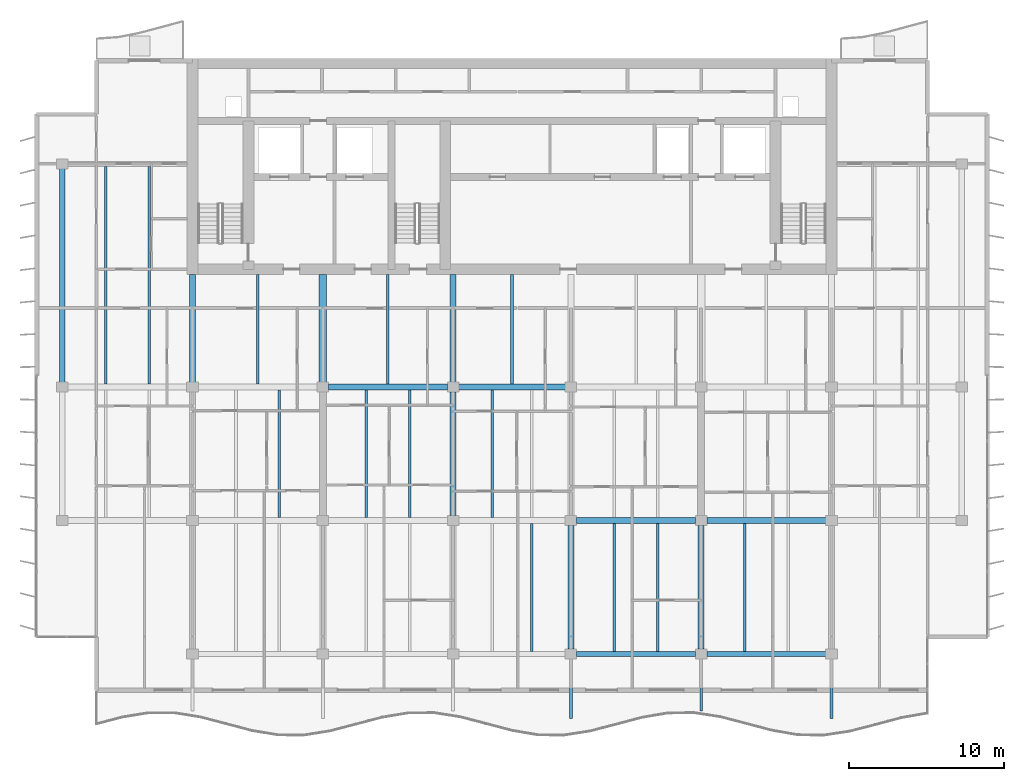
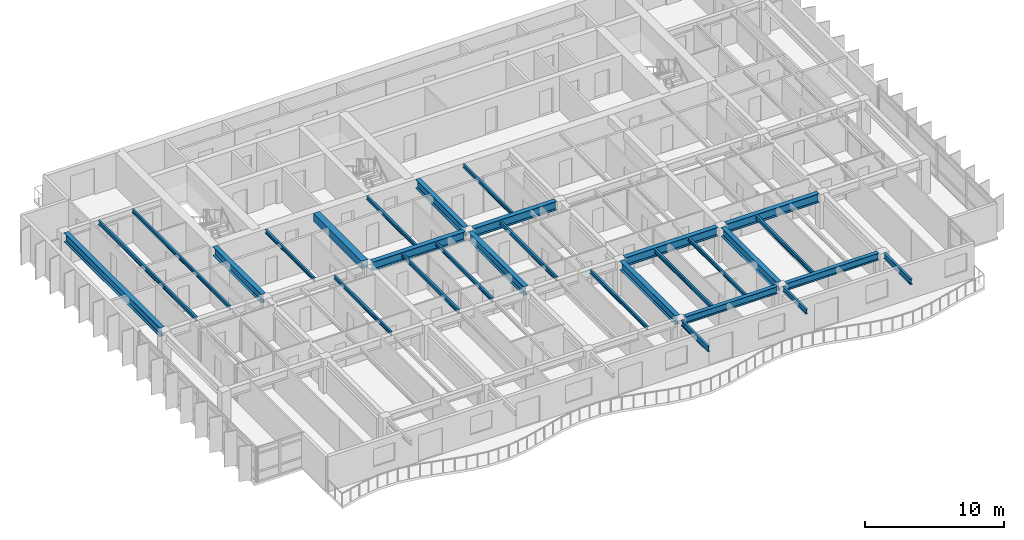
# One storey, part 3 of 17: 29 beams.
"""IFC4 building model written with IfcOpenShell, lengths in metres."""

import ifcopenshell
import ifcopenshell.guid

model = None  # the IFC model being written
_history = None  # IfcOwnerHistory: only IFC2X3 demands one
_inside = {}  # id of a spatial element -> (the spatial element, [elements in it])
_under = {}  # id of a project, library or spatial element -> (it, [spatial elements below it])
_declared = {}  # id of a project -> (the project, [libraries it declares])
_typed = {}  # id of a type object -> (the type object, [elements of that type])
_made_of = {}  # id of a material, layer set ... -> (it, [elements and type objects made of it])


def new_model(schema):
    """Start an empty IFC model of exactly this schema.

    Asked for "IFC4X3", IfcOpenShell would pick the latest addendum, in which some entities
    have other attributes; the version numbers below select the first issue.
    IFC2X3 requires an IfcOwnerHistory on every rooted entity: one is made here for all.
    """
    global model, _history
    if schema == "IFC4X3":
        model = ifcopenshell.file(schema_version=(4, 3, 0, 0))
    else:
        model = ifcopenshell.file(schema=schema)
    _inside.clear()
    _under.clear()
    _declared.clear()
    _typed.clear()
    _made_of.clear()
    _history = None
    if model.schema == "IFC2X3":
        org = make("IfcOrganization", Name="unknown")
        user = make(
            "IfcPersonAndOrganization",
            ThePerson=make("IfcPerson", FamilyName="unknown"),
            TheOrganization=org,
        )
        app = make(
            "IfcApplication",
            ApplicationDeveloper=org,
            Version="unknown",
            ApplicationFullName="unknown",
            ApplicationIdentifier="unknown",
        )
        _history = make(
            "IfcOwnerHistory",
            OwningUser=user,
            OwningApplication=app,
            ChangeAction="ADDED",
            CreationDate=0,
        )
    return model


def make(cls, **values):
    """One entity of the class cls with the attributes given. An attribute that is None is left unset."""
    return model.create_entity(
        cls, **{name: value for name, value in values.items() if value is not None}
    )


def rooted(cls, **values):
    """An entity with a GlobalId (a new one), such as an element, a storey or a relation."""
    return make(cls, GlobalId=ifcopenshell.guid.new(), OwnerHistory=_history, **values)


def si_unit(unit_type, name, prefix=None):
    """IfcSIUnit, for example si_unit("LENGTHUNIT", "METRE", prefix="MILLI")."""
    return make("IfcSIUnit", UnitType=unit_type, Prefix=prefix, Name=name)


def assignment(units):
    """IfcUnitAssignment: the units of a project."""
    return None if units is None else make("IfcUnitAssignment", Units=units)


def point(xyz):
    """IfcCartesianPoint."""
    return None if xyz is None else make("IfcCartesianPoint", Coordinates=xyz)


def direction(xyz):
    """IfcDirection."""
    return None if xyz is None else make("IfcDirection", DirectionRatios=xyz)


def frame(location, z_axis=None, x_axis=None):
    """IfcAxis2Placement3D, a coordinate frame: its origin and axes. An axis left out is left unset."""
    return make(
        "IfcAxis2Placement3D",
        Location=point(location),
        Axis=direction(z_axis),
        RefDirection=direction(x_axis),
    )


def frame_2d(location, x_axis=None):
    """IfcAxis2Placement2D, a coordinate frame in the plane: its origin and x axis."""
    return make(
        "IfcAxis2Placement2D", Location=point(location), RefDirection=direction(x_axis)
    )


def origin():
    """The frame at (0, 0, 0) with its axes left unset."""
    return frame((0.0, 0.0, 0.0))


def origin_2d():
    """The frame at (0, 0) in the plane with its x axis left unset."""
    return frame_2d((0.0, 0.0))


def place(relative_to, where):
    """IfcLocalPlacement: puts the frame where relative to a parent placement (None: the world)."""
    return make(
        "IfcLocalPlacement", PlacementRelTo=relative_to, RelativePlacement=where
    )


def context(
    kind, dimensions, precision=None, world=None, true_north=None, identifier=None
):
    """IfcGeometricRepresentationContext, for example the 3D "Model" context."""
    return make(
        "IfcGeometricRepresentationContext",
        ContextIdentifier=identifier,
        ContextType=kind,
        CoordinateSpaceDimension=dimensions,
        Precision=precision,
        WorldCoordinateSystem=world,
        TrueNorth=true_north,
    )


def subcontext(parent, identifier, kind, view, scale=None):
    """IfcGeometricRepresentationSubContext, for example "Body" below "Model"."""
    return make(
        "IfcGeometricRepresentationSubContext",
        ContextIdentifier=identifier,
        ContextType=kind,
        ParentContext=parent,
        TargetScale=scale,
        TargetView=view,
    )


def project(units=None, contexts=None):
    """IfcProject with its units and contexts."""
    return rooted(
        "IfcProject",
        Name="project",
        RepresentationContexts=contexts,
        UnitsInContext=assignment(units),
    )


def spatial(cls, under=None, at=None, **own):
    """A site, building, storey or space (cls), placed at a placement, below another one or the project."""
    s = rooted(cls, ObjectPlacement=at, **own)
    if under is not None:
        _under.setdefault(under.id(), (under, []))[1].append(s)
    return s


def profile(cls, at=None, kind="AREA", **sizes):
    """A parametric profile (cls). Its sizes go by their IFC names, for example OverallWidth=200.0."""
    return make(cls, ProfileType=kind, Position=at, **sizes)


def rectangle(**sizes):
    """IfcRectangleProfileDef."""
    return profile("IfcRectangleProfileDef", **sizes)


def i_section(**sizes):
    """IfcIShapeProfileDef."""
    return profile("IfcIShapeProfileDef", **sizes)


def extrude(swept, where, along, depth):
    """IfcExtrudedAreaSolid: the profile swept, set in the frame where, extruded along a direction by depth."""
    return make(
        "IfcExtrudedAreaSolid",
        SweptArea=swept,
        Position=where,
        ExtrudedDirection=direction(along),
        Depth=depth,
    )


def shape(context_of_items, identifier, shape_type, items):
    """IfcShapeRepresentation: the items that make up one representation, for example the "Body"."""
    return make(
        "IfcShapeRepresentation",
        ContextOfItems=context_of_items,
        RepresentationIdentifier=identifier,
        RepresentationType=shape_type,
        Items=items,
    )


def material(Name=None, Category=None):
    """IfcMaterial."""
    return make("IfcMaterial", Name=Name, Category=Category)


def material_profile(
    of_material, cross_section, Name=None, Category=None, Priority=None
):
    """IfcMaterialProfile: a cross section and its material."""
    return make(
        "IfcMaterialProfile",
        Name=Name,
        Material=of_material,
        Profile=cross_section,
        Priority=Priority,
        Category=Category,
    )


def profile_set(profiles, Name=None, composite=None):
    """IfcMaterialProfileSet."""
    return make(
        "IfcMaterialProfileSet",
        Name=Name,
        MaterialProfiles=profiles,
        CompositeProfile=composite,
    )


def made_of(thing, what):
    """Note that an element or type object is made of a material, layer set ...; save() writes the relation."""
    if what is not None:
        _made_of.setdefault(what.id(), (what, []))[1].append(thing)
    return thing


def type_object(cls, material=None, **own):
    """A type object (cls), such as IfcWallType, which elements share."""
    return made_of(rooted(cls, **own), material)


def element(
    cls,
    number,
    at=None,
    inside=None,
    cuts=None,
    type_object=None,
    material=None,
    context=None,
    identifier="Body",
    shape_type=None,
    held_by="IfcProductDefinitionShape",
    body=None,
    shapes=None,
    **own,
):
    """One element of the class cls, such as IfcWall. Its Tag is "e" and its number.

    at: its placement. inside: the storey or other place that contains it. cuts: it is an
    opening in that element (IfcRelVoidsElement). A single representation is given by context,
    identifier, shape_type and body (its items); several are given by shapes. held_by: the class
    of the entity that holds the representations. save() writes the other relations.
    """
    e = rooted(cls, Tag="e%d" % number, ObjectPlacement=at, **own)
    if body is not None:
        shapes = [shape(context, identifier, shape_type, body)]
    if shapes is not None:
        e.Representation = make(held_by, Representations=shapes)
    if inside is not None:
        _inside.setdefault(inside.id(), (inside, []))[1].append(e)
    if cuts is not None:
        rooted(
            "IfcRelVoidsElement", RelatingBuildingElement=cuts, RelatedOpeningElement=e
        )
    if type_object is not None:
        _typed.setdefault(type_object.id(), (type_object, []))[1].append(e)
    return made_of(e, material)


def aggregate(whole, parts):
    """IfcRelAggregates: a whole, such as a stair, and the parts it consists of."""
    return rooted("IfcRelAggregates", RelatingObject=whole, RelatedObjects=parts)


def save(model, path):
    """Write the relations noted so far, then the file.

    IfcRelAggregates (storeys below a building ...), IfcRelContainedInSpatialStructure (elements
    in a storey), IfcRelDefinesByType, IfcRelAssociatesMaterial and IfcRelDeclares: one each for
    every whole, place, type object, material and project.
    """
    for whole, parts in _under.values():
        aggregate(whole, parts)
    for where, things in _inside.values():
        rooted(
            "IfcRelContainedInSpatialStructure",
            RelatedElements=things,
            RelatingStructure=where,
        )
    for kind, things in _typed.values():
        rooted("IfcRelDefinesByType", RelatedObjects=things, RelatingType=kind)
    for what, things in _made_of.values():
        rooted("IfcRelAssociatesMaterial", RelatedObjects=things, RelatingMaterial=what)
    for by, libraries in _declared.values():
        rooted("IfcRelDeclares", RelatingContext=by, RelatedDefinitions=libraries)
    model.write(path)


model = new_model("IFC4")

# Units and contexts
model_context = context("Model", 3, precision=1e-05, world=origin(), true_north=direction((0.0, 1.0)))
body_context = subcontext(model_context, "Body", "Model", "MODEL_VIEW")
ifc_project = project(units=[si_unit("LENGTHUNIT", "METRE"), si_unit("AREAUNIT", "SQUARE_METRE"), si_unit("VOLUMEUNIT", "CUBIC_METRE"), si_unit("PLANEANGLEUNIT", "RADIAN"), si_unit("MASSUNIT", "GRAM", prefix="KILO")], contexts=[model_context])

# Site, building, storey
site_placement = place(None, origin())
site = spatial("IfcSite", under=ifc_project, at=site_placement, CompositionType="ELEMENT")
building_placement = place(site_placement, origin())
building = spatial("IfcBuilding", under=site, at=building_placement, Name="Caelmar Bay Residences", CompositionType="ELEMENT")
storey_placement = place(building_placement, frame((0.0, 0.0, 229.800048828125)))
storey = spatial("IfcBuildingStorey", under=building, at=storey_placement, Name="L64", CompositionType="ELEMENT", Elevation=229.800048828125)

# Beams
ifc_material_1 = material(Name="Steel ASTM A992 Grade 50", Category="steel")
ifc_material_profile_1 = material_profile(ifc_material_1, i_section(OverallWidth=0.177978515625, OverallDepth=0.406005859375, WebThickness=0.0078125, FlangeThickness=0.0126953125, FilletRadius=0.0087890625, at=origin_2d()), Name="W16X40")
ifc_profile_set_1 = profile_set([ifc_material_profile_1], Name="Steel ASTM A992 Grade 50")
beam_type_1 = type_object("IfcBeamType", Name="BM-BAL-W16X40", PredefinedType="JOIST", material=ifc_profile_set_1)
beam_1_placement = place(storey_placement, frame((51.10009765625, 11.885009765625, 2.846923828125), z_axis=(0.0, -1.0, 0.0), x_axis=(1.0, 0.0, 0.0)))
element("IfcBeam", 1, at=beam_1_placement, inside=storey, type_object=beam_type_1, Name="L65 South Balcony Cantilever Bracket 5", PredefinedType="JOIST", context=body_context, shape_type="SweptSolid", body=[
    extrude(i_section(OverallWidth=0.177978515625, OverallDepth=0.406005859375, WebThickness=0.0078125, FlangeThickness=0.0126953125, FilletRadius=0.0087890625, at=origin_2d()), origin(), (0.0, 0.0, 1.0), 3.3671875),
])
ifc_material_profile_2 = material_profile(ifc_material_1, i_section(OverallWidth=0.193115234375, OverallDepth=0.467041015625, WebThickness=0.011474609375, FlangeThickness=0.01904296875, FilletRadius=0.01025390625, at=origin_2d()), Name="W18X65")
ifc_profile_set_2 = profile_set([ifc_material_profile_2], Name="Steel ASTM A992 Grade 50")
beam_type_2 = type_object("IfcBeamType", Name="BM-BAL-W18X65", PredefinedType="BEAM", material=ifc_profile_set_2)
for number, where, z_axis, x_axis, name in (
    (2, (42.699951171875, 11.885009765625, 2.81640625), (0.0, -1.0, 0.0), (1.0, 0.0, 0.0), "L65 South Balcony Cantilever Bracket 4"),
    (3, (59.5, 11.885009765625, 2.81640625), (0.0, -1.0, 0.0), (1.0, 0.0, 0.0), "L65 South Balcony Cantilever Bracket 6"),
):
    element("IfcBeam", number, at=place(storey_placement, frame(where, z_axis=z_axis, x_axis=x_axis)), inside=storey, type_object=beam_type_2, Name=name, PredefinedType="BEAM", context=body_context, shape_type="SweptSolid", body=[
        extrude(i_section(OverallWidth=0.193115234375, OverallDepth=0.467041015625, WebThickness=0.011474609375, FlangeThickness=0.01904296875, FilletRadius=0.01025390625, at=origin_2d()), origin(), (0.0, 0.0, 1.0), 3.85009765625),
    ])
ifc_material_profile_3 = material_profile(ifc_material_1, i_section(OverallWidth=0.381103515625, OverallDepth=0.77197265625, WebThickness=0.0166015625, FlangeThickness=0.027099609375, FilletRadius=0.0166015625, at=origin_2d()), Name="W30X173")
ifc_profile_set_3 = profile_set([ifc_material_profile_3], Name="Steel ASTM A992 Grade 50")
beam_type_3 = type_object("IfcBeamType", Name="BM-GRD-W30X173", PredefinedType="BEAM", material=ifc_profile_set_3)
beam_2_placement = place(storey_placement, frame((43.06494140625, 20.800048828125, 2.6640625), z_axis=(1.0, 0.0, 0.0), x_axis=(0.0, 1.0, 0.0)))
element("IfcBeam", 4, at=beam_2_placement, inside=storey, type_object=beam_type_3, Name="L64 East-West Girder Y=20.80 (42.7-51.1)", PredefinedType="BEAM", context=body_context, shape_type="SweptSolid", body=[
    extrude(i_section(OverallWidth=0.381103515625, OverallDepth=0.77197265625, WebThickness=0.0166015625, FlangeThickness=0.027099609375, FilletRadius=0.0166015625, at=origin_2d()), origin(), (0.0, 0.0, 1.0), 7.670166015625),
])
beam_3_placement = place(storey_placement, frame((51.465087890625, 20.800048828125, 2.6640625), z_axis=(1.0, 0.0, 0.0), x_axis=(0.0, 1.0, 0.0)))
element("IfcBeam", 5, at=beam_3_placement, inside=storey, type_object=beam_type_3, Name="L64 East-West Girder Y=20.80 (51.1-59.5)", PredefinedType="BEAM", context=body_context, shape_type="SweptSolid", body=[
    extrude(i_section(OverallWidth=0.381103515625, OverallDepth=0.77197265625, WebThickness=0.0166015625, FlangeThickness=0.027099609375, FilletRadius=0.0166015625, at=origin_2d()), origin(), (0.0, 0.0, 1.0), 7.669921875),
])
beam_4_placement = place(storey_placement, frame((27.06494140625, 29.39990234375, 2.6640625), z_axis=(1.0, 0.0, 0.0), x_axis=(0.0, 1.0, 0.0)))
element("IfcBeam", 6, at=beam_4_placement, inside=storey, type_object=beam_type_3, Name="L64 East-West Girder Y=29.40 (26.7-35.1)", PredefinedType="BEAM", context=body_context, shape_type="SweptSolid", body=[
    extrude(i_section(OverallWidth=0.381103515625, OverallDepth=0.77197265625, WebThickness=0.0166015625, FlangeThickness=0.027099609375, FilletRadius=0.0166015625, at=origin_2d()), origin(), (0.0, 0.0, 1.0), 7.670166015625),
])
beam_5_placement = place(storey_placement, frame((35.465087890625, 29.39990234375, 2.6640625), z_axis=(1.0, 0.0, 0.0), x_axis=(0.0, 1.0, 0.0)))
element("IfcBeam", 7, at=beam_5_placement, inside=storey, type_object=beam_type_3, Name="L64 East-West Girder Y=29.40 (35.1-42.7)", PredefinedType="BEAM", context=body_context, shape_type="SweptSolid", body=[
    extrude(i_section(OverallWidth=0.381103515625, OverallDepth=0.77197265625, WebThickness=0.0166015625, FlangeThickness=0.027099609375, FilletRadius=0.0166015625, at=origin_2d()), origin(), (0.0, 0.0, 1.0), 6.869873046875),
])
beam_6_placement = place(storey_placement, frame((9.89990234375, 29.715087890625, 2.6640625), z_axis=(0.0, 1.0, 0.0), x_axis=(-1.0, 0.0, 0.0)))
element("IfcBeam", 8, at=beam_6_placement, inside=storey, type_object=beam_type_3, Name="L64 North-South Girder X=9.90 (29.4-43.8)", PredefinedType="BEAM", context=body_context, shape_type="SweptSolid", body=[
    extrude(i_section(OverallWidth=0.381103515625, OverallDepth=0.77197265625, WebThickness=0.0166015625, FlangeThickness=0.027099609375, FilletRadius=0.0166015625, at=origin_2d()), origin(), (0.0, 0.0, 1.0), 13.77001953125),
])
for number, where, z_axis, x_axis, name in (
    (9, (18.300048828125, 29.715087890625, 2.6640625), (0.0, 1.0, 0.0), (-1.0, 0.0, 0.0), "L64 Core Tie Girder X=18.30"),
    (10, (35.10009765625, 29.715087890625, 2.6640625), (0.0, 1.0, 0.0), (-1.0, 0.0, 0.0), "L64 Core Tie Girder X=35.10"),
):
    element("IfcBeam", number, at=place(storey_placement, frame(where, z_axis=z_axis, x_axis=x_axis)), inside=storey, type_object=beam_type_3, Name=name, PredefinedType="BEAM", context=body_context, shape_type="SweptSolid", body=[
        extrude(i_section(OverallWidth=0.381103515625, OverallDepth=0.77197265625, WebThickness=0.0166015625, FlangeThickness=0.027099609375, FilletRadius=0.0166015625, at=origin_2d()), origin(), (0.0, 0.0, 1.0), 6.934814453125),
    ])
beam_7_placement = place(storey_placement, frame((35.10009765625, 21.114990234375, 2.6640625), z_axis=(0.0, 1.0, 0.0), x_axis=(-1.0, 0.0, 0.0)))
element("IfcBeam", 11, at=beam_7_placement, inside=storey, type_object=beam_type_3, Name="L64 North-South Girder X=35.10 (20.8-29.4)", PredefinedType="BEAM", context=body_context, shape_type="SweptSolid", body=[
    extrude(i_section(OverallWidth=0.381103515625, OverallDepth=0.77197265625, WebThickness=0.0166015625, FlangeThickness=0.027099609375, FilletRadius=0.0166015625, at=origin_2d()), origin(), (0.0, 0.0, 1.0), 7.969970703125),
])
for number, where, z_axis, x_axis, name in (
    (12, (42.699951171875, 12.514892578125, 2.6640625), (0.0, 1.0, 0.0), (-1.0, 0.0, 0.0), "L64 North-South Girder X=42.70 (12.2-20.8)"),
    (13, (51.10009765625, 12.514892578125, 2.6640625), (0.0, 1.0, 0.0), (-1.0, 0.0, 0.0), "L64 North-South Girder X=51.10 (12.2-20.8)"),
):
    element("IfcBeam", number, at=place(storey_placement, frame(where, z_axis=z_axis, x_axis=x_axis)), inside=storey, type_object=beam_type_3, Name=name, PredefinedType="BEAM", context=body_context, shape_type="SweptSolid", body=[
        extrude(i_section(OverallWidth=0.381103515625, OverallDepth=0.77197265625, WebThickness=0.0166015625, FlangeThickness=0.027099609375, FilletRadius=0.0166015625, at=origin_2d()), origin(), (0.0, 0.0, 1.0), 7.97021484375),
    ])
ifc_material_profile_4 = material_profile(ifc_material_1, i_section(OverallWidth=0.1650390625, OverallDepth=0.31005859375, WebThickness=0.005859375, FlangeThickness=0.009765625, FilletRadius=0.007568359375, at=origin_2d()), Name="W12X26")
ifc_profile_set_4 = profile_set([ifc_material_profile_4], Name="Steel ASTM A992 Grade 50")
beam_type_4 = type_object("IfcBeamType", Name="BM-JST-W12X26", PredefinedType="JOIST", material=ifc_profile_set_4)
for number, where, z_axis, x_axis, name in (
    (14, (40.166748046875, 12.362548828125, 2.89501953125), (0.0, 1.0, 0.0), (-1.0, 0.0, 0.0), "L64 Composite Floor Joist 6"),
    (15, (48.300048828125, 12.362548828125, 2.89501953125), (0.0, 1.0, 0.0), (-1.0, 0.0, 0.0), "L64 Composite Floor Joist 8"),
):
    element("IfcBeam", number, at=place(storey_placement, frame(where, z_axis=z_axis, x_axis=x_axis)), inside=storey, type_object=beam_type_4, Name=name, PredefinedType="JOIST", context=body_context, shape_type="SweptSolid", body=[
        extrude(i_section(OverallWidth=0.1650390625, OverallDepth=0.31005859375, WebThickness=0.005859375, FlangeThickness=0.009765625, FilletRadius=0.007568359375, at=origin_2d()), origin(), (0.0, 0.0, 1.0), 8.2470703125),
    ])
for number, where, z_axis, x_axis, name in (
    (16, (23.89990234375, 20.990478515625, 2.89501953125), (0.0, 1.0, 0.0), (-1.0, 0.0, 0.0), "L64 Composite Floor Joist 14"),
    (17, (32.300048828125, 20.990478515625, 2.89501953125), (0.0, 1.0, 0.0), (-1.0, 0.0, 0.0), "L64 Composite Floor Joist 16"),
):
    element("IfcBeam", number, at=place(storey_placement, frame(where, z_axis=z_axis, x_axis=x_axis)), inside=storey, type_object=beam_type_4, Name=name, PredefinedType="JOIST", context=body_context, shape_type="SweptSolid", body=[
        extrude(i_section(OverallWidth=0.1650390625, OverallDepth=0.31005859375, WebThickness=0.005859375, FlangeThickness=0.009765625, FilletRadius=0.007568359375, at=origin_2d()), origin(), (0.0, 0.0, 1.0), 8.218994140625),
    ])
for number, where, z_axis, x_axis, name in (
    (18, (22.5, 29.590576171875, 2.89501953125), (0.0, 1.0, 0.0), (-1.0, 0.0, 0.0), "L64 Core-Band Composite Joist 25"),
    (19, (30.89990234375, 29.590576171875, 2.89501953125), (0.0, 1.0, 0.0), (-1.0, 0.0, 0.0), "L64 Core-Band Composite Joist 26"),
    (20, (38.89990234375, 29.590576171875, 2.89501953125), (0.0, 1.0, 0.0), (-1.0, 0.0, 0.0), "L64 Core-Band Composite Joist 27"),
):
    element("IfcBeam", number, at=place(storey_placement, frame(where, z_axis=z_axis, x_axis=x_axis)), inside=storey, type_object=beam_type_4, Name=name, PredefinedType="JOIST", context=body_context, shape_type="SweptSolid", body=[
        extrude(i_section(OverallWidth=0.1650390625, OverallDepth=0.31005859375, WebThickness=0.005859375, FlangeThickness=0.009765625, FilletRadius=0.007568359375, at=origin_2d()), origin(), (0.0, 0.0, 1.0), 7.059326171875),
    ])
beam_8_placement = place(storey_placement, frame((15.5, 29.590576171875, 2.89501953125), z_axis=(0.0, 1.0, 0.0), x_axis=(-1.0, 0.0, 0.0)))
element("IfcBeam", 21, at=beam_8_placement, inside=storey, type_object=beam_type_4, Name="L64 Composite Floor Joist 31", PredefinedType="JOIST", context=body_context, shape_type="SweptSolid", body=[
    extrude(i_section(OverallWidth=0.1650390625, OverallDepth=0.31005859375, WebThickness=0.005859375, FlangeThickness=0.009765625, FilletRadius=0.007568359375, at=origin_2d()), origin(), (0.0, 0.0, 1.0), 14.046875),
])
ifc_material_profile_5 = material_profile(ifc_material_1, i_section(OverallWidth=0.1708984375, OverallDepth=0.35595703125, WebThickness=0.007080078125, FlangeThickness=0.01171875, FilletRadius=0.007568359375, at=origin_2d()), Name="W14X34")
ifc_profile_set_5 = profile_set([ifc_material_profile_5], Name="Steel ASTM A992 Grade 50")
beam_type_5 = type_object("IfcBeamType", Name="BM-JST-W14X34", PredefinedType="JOIST", material=ifc_profile_set_5)
for number, where, z_axis, x_axis, name in (
    (22, (45.5, 12.362548828125, 2.8720703125), (0.0, 1.0, 0.0), (-1.0, 0.0, 0.0), "L64 Composite Floor Joist 7"),
    (23, (53.89990234375, 12.362548828125, 2.8720703125), (0.0, 1.0, 0.0), (-1.0, 0.0, 0.0), "L64 Composite Floor Joist 9"),
):
    element("IfcBeam", number, at=place(storey_placement, frame(where, z_axis=z_axis, x_axis=x_axis)), inside=storey, type_object=beam_type_5, Name=name, PredefinedType="JOIST", context=body_context, shape_type="SweptSolid", body=[
        extrude(i_section(OverallWidth=0.1708984375, OverallDepth=0.35595703125, WebThickness=0.007080078125, FlangeThickness=0.01171875, FilletRadius=0.007568359375, at=origin_2d()), origin(), (0.0, 0.0, 1.0), 8.2470703125),
    ])
for number, where, z_axis, x_axis, name in (
    (24, (29.5, 20.990478515625, 2.8720703125), (0.0, 1.0, 0.0), (-1.0, 0.0, 0.0), "L64 Composite Floor Joist 15"),
    (25, (37.63330078125, 20.990478515625, 2.8720703125), (0.0, 1.0, 0.0), (-1.0, 0.0, 0.0), "L64 Composite Floor Joist 17"),
):
    element("IfcBeam", number, at=place(storey_placement, frame(where, z_axis=z_axis, x_axis=x_axis)), inside=storey, type_object=beam_type_5, Name=name, PredefinedType="JOIST", context=body_context, shape_type="SweptSolid", body=[
        extrude(i_section(OverallWidth=0.1708984375, OverallDepth=0.35595703125, WebThickness=0.007080078125, FlangeThickness=0.01171875, FilletRadius=0.007568359375, at=origin_2d()), origin(), (0.0, 0.0, 1.0), 8.218994140625),
    ])
beam_9_placement = place(storey_placement, frame((12.699951171875, 29.590576171875, 2.8720703125), z_axis=(0.0, 1.0, 0.0), x_axis=(-1.0, 0.0, 0.0)))
element("IfcBeam", 26, at=beam_9_placement, inside=storey, type_object=beam_type_5, Name="L64 Composite Floor Joist 30", PredefinedType="JOIST", context=body_context, shape_type="SweptSolid", body=[
    extrude(i_section(OverallWidth=0.1708984375, OverallDepth=0.35595703125, WebThickness=0.007080078125, FlangeThickness=0.01171875, FilletRadius=0.007568359375, at=origin_2d()), origin(), (0.0, 0.0, 1.0), 14.046875),
])
ifc_material_2 = material(Name="Concrete f'c 55 MPa (8,000 psi)", Category="concrete")
ifc_material_profile_6 = material_profile(ifc_material_2, rectangle(XDim=0.5, YDim=0.699951171875, at=origin_2d()), Name="RC-BM-500X700")
ifc_profile_set_6 = profile_set([ifc_material_profile_6], Name="Concrete f'c 55 MPa (8,000 psi)")
beam_type_6 = type_object("IfcBeamType", Name="BM-RC-500X700", PredefinedType="LINTEL", material=ifc_profile_set_6)
beam_10_placement = place(storey_placement, frame((26.699951171875, 29.715087890625, 2.699951171875), z_axis=(0.0, 1.0, 0.0), x_axis=(-1.0, 0.0, 0.0)))
element("IfcBeam", 27, at=beam_10_placement, inside=storey, type_object=beam_type_6, Name="L64 Shear-Wall Corridor Coupling Lintel W5", PredefinedType="LINTEL", context=body_context, shape_type="SweptSolid", body=[
    extrude(rectangle(XDim=0.5, YDim=0.699951171875, at=origin_2d()), origin(), (0.0, 0.0, 1.0), 6.934814453125),
])
ifc_material_profile_7 = material_profile(ifc_material_1, i_section(OverallWidth=0.324951171875, OverallDepth=0.616943359375, WebThickness=0.013916015625, FlangeThickness=0.021484375, FilletRadius=0.0126953125, at=origin_2d()), Name="W24X117")
ifc_profile_set_7 = profile_set([ifc_material_profile_7], Name="Steel ASTM A992 Grade 50")
beam_type_7 = type_object("IfcBeamType", Name="BM-SPN-W24X117", PredefinedType="SPANDREL", material=ifc_profile_set_7)
beam_11_placement = place(storey_placement, frame((43.06494140625, 12.199951171875, 2.741455078125), z_axis=(1.0, 0.0, 0.0), x_axis=(0.0, 1.0, 0.0)))
element("IfcBeam", 28, at=beam_11_placement, inside=storey, type_object=beam_type_7, Name="L64 East-West Girder Y=12.20 (42.7-51.1)", PredefinedType="SPANDREL", context=body_context, shape_type="SweptSolid", body=[
    extrude(i_section(OverallWidth=0.324951171875, OverallDepth=0.616943359375, WebThickness=0.013916015625, FlangeThickness=0.021484375, FilletRadius=0.0126953125, at=origin_2d()), origin(), (0.0, 0.0, 1.0), 7.670166015625),
])
beam_12_placement = place(storey_placement, frame((51.465087890625, 12.199951171875, 2.741455078125), z_axis=(1.0, 0.0, 0.0), x_axis=(0.0, 1.0, 0.0)))
element("IfcBeam", 29, at=beam_12_placement, inside=storey, type_object=beam_type_7, Name="L64 East-West Girder Y=12.20 (51.1-59.5)", PredefinedType="SPANDREL", context=body_context, shape_type="SweptSolid", body=[
    extrude(i_section(OverallWidth=0.324951171875, OverallDepth=0.616943359375, WebThickness=0.013916015625, FlangeThickness=0.021484375, FilletRadius=0.0126953125, at=origin_2d()), origin(), (0.0, 0.0, 1.0), 7.669921875),
])

save(model, "model.ifc")
